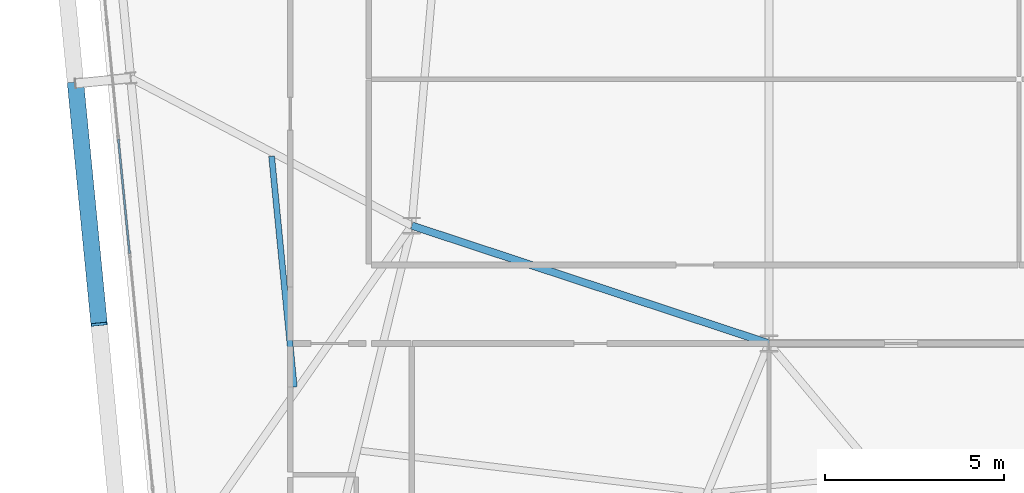
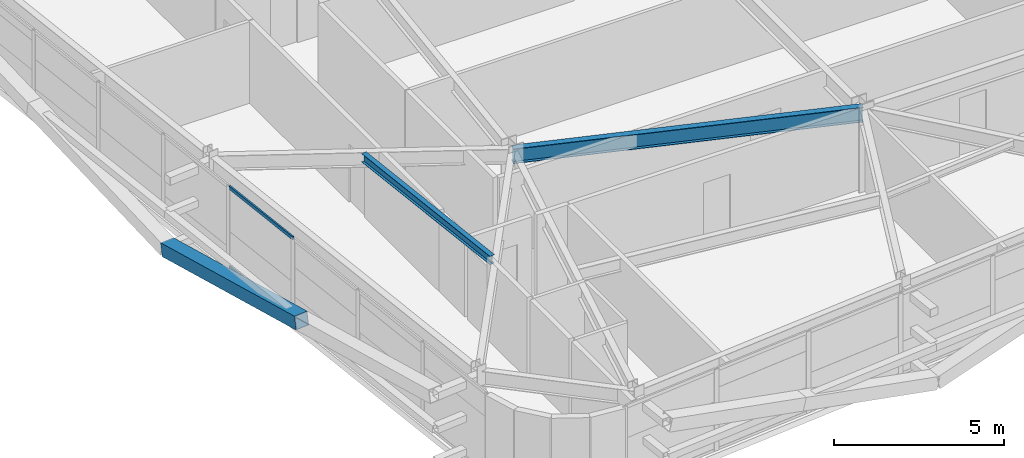
# One storey, part 9 of 52: 3 members, 2 beams, 1 element without a shape of its own.
"""IFC4 building model written with IfcOpenShell, lengths in metres."""

from ifc_helpers import new_model, si_unit, direction, frame, origin, origin_2d, place, context, subcontext, project, spatial, hollow_rectangle, i_section, extrude, source, transform, mapped, material, layer, layer_set, material_profile, profile_set, type_object, element, aggregate, save


model = new_model("IFC4")

# Units and contexts
model_context = context("Model", 3, precision=1e-05, world=origin(), true_north=direction((0.0, 1.0)))
body_context = subcontext(model_context, "Body", "Model", "MODEL_VIEW")
ifc_project = project(units=[si_unit("LENGTHUNIT", "METRE"), si_unit("AREAUNIT", "SQUARE_METRE"), si_unit("VOLUMEUNIT", "CUBIC_METRE"), si_unit("PLANEANGLEUNIT", "RADIAN"), si_unit("MASSUNIT", "GRAM", prefix="KILO")], contexts=[model_context])

# Site, building, storey
site_placement = place(None, origin())
site = spatial("IfcSite", under=ifc_project, at=site_placement, CompositionType="ELEMENT")
building_placement = place(site_placement, origin())
building = spatial("IfcBuilding", under=site, at=building_placement, Name="Taldren Reach Tower", CompositionType="ELEMENT")
storey_placement = place(building_placement, frame((0.0, 0.0, 77.699951171875)))
storey = spatial("IfcBuildingStorey", under=building, at=storey_placement, Name="L23", CompositionType="ELEMENT", Elevation=77.699951171875)

# Beams
ifc_material_1 = material(Name="Steel Gr 350 (350PLUS)", Category="steel")
ifc_material_profile_1 = material_profile(ifc_material_1, i_section(OverallWidth=0.208984375, OverallDepth=0.532958984375, WebThickness=0.01025390625, FlangeThickness=0.015625, at=origin_2d()), Name="530UB92.4")
ifc_profile_set_1 = profile_set([ifc_material_profile_1], Name="Steel Gr 350 (350PLUS)")
beam_type_1 = type_object("IfcBeamType", Name="BM-UB530A", PredefinedType="BEAM", material=ifc_profile_set_1)
shared_shape_1 = source(origin(), body_context, "Body", "SweptSolid", [
    extrude(i_section(OverallWidth=0.208984375, OverallDepth=0.532958984375, WebThickness=0.01025390625, FlangeThickness=0.015625, at=origin_2d()), origin(), (0.0, 0.0, 1.0), 10.530517578125),
])
beam_1_placement = place(storey_placement, frame((18.0, 12.5, 2.66357421875), z_axis=(0.949627269203, -0.313381635689, 0.0), x_axis=(0.313381635689, 0.949627269203, 0.0)))
element("IfcBeam", 1, at=beam_1_placement, inside=storey, type_object=beam_type_1, Name="Core-spine girder L23-SP10", PredefinedType="BEAM", context=body_context, shape_type="MappedRepresentation", body=[
    mapped(shared_shape_1, transform((0.0, 0.0, 0.0), scale=1.0)),
])
ifc_material_2 = material(Name="Steel Gr 300 (300PLUS, 300 MPa)", Category="steel")
ifc_material_profile_2 = material_profile(ifc_material_2, i_section(OverallWidth=0.166015625, OverallDepth=0.306884765625, WebThickness=0.006591796875, FlangeThickness=0.01171875, at=origin_2d()), Name="310UB46.2")
ifc_profile_set_2 = profile_set([ifc_material_profile_2], Name="Steel Gr 300 (300PLUS, 300 MPa)")
beam_type_2 = type_object("IfcBeamType", Name="JS-UB310", PredefinedType="JOIST", material=ifc_profile_set_2)
shared_shape_2 = source(origin(), body_context, "Body", "SweptSolid", [
    extrude(i_section(OverallWidth=0.166015625, OverallDepth=0.306884765625, WebThickness=0.006591796875, FlangeThickness=0.01171875, at=origin_2d()), origin(), (0.0, 0.0, 1.0), 6.489501953125),
])
beam_2_placement = place(storey_placement, frame((14.710693359375, 7.982666015625, 2.776611328125), z_axis=(-0.097588959486, 0.995226805802, 0.0), x_axis=(-0.995226805802, -0.097588959486, 0.0)))
element("IfcBeam", 2, at=beam_2_placement, inside=storey, type_object=beam_type_2, Name="Secondary floor joist B2 J6 L23", PredefinedType="JOIST", context=body_context, shape_type="MappedRepresentation", body=[
    mapped(shared_shape_2, transform((0.0, 0.0, 0.0), scale=1.0)),
])

# Member
ifc_material_3 = material(Name="Steel Gr 450 (C450L0)", Category="steel")
ifc_material_profile_3 = material_profile(ifc_material_3, hollow_rectangle(XDim=0.4599609375, YDim=0.4599609375, WallThickness=0.01611328125, at=origin_2d()), Name="460x460x16.0SHS")
ifc_profile_set_3 = profile_set([ifc_material_profile_3], Name="Steel Gr 450 (C450L0)")
member_type_1 = type_object("IfcMemberType", Name="MB-EXO457", PredefinedType="BRACE", material=ifc_profile_set_3)
shared_shape_3 = source(origin(), body_context, "Body", "SweptSolid", [
    extrude(hollow_rectangle(XDim=0.4599609375, YDim=0.4599609375, WallThickness=0.01611328125, at=origin_2d()), origin(), (0.0, 0.0, 1.0), 6.8828125),
])
member_1_placement = place(storey_placement, frame((8.587890625, 16.479736328125, 0.219970703125), z_axis=(0.096054795712, -0.979595750804, 0.17653793141), x_axis=(0.995226946838, 0.097587521166, 0.0)))
element("IfcMember", 3, at=member_1_placement, inside=storey, type_object=member_type_1, Name="Exoskeleton Diagrid Brace B2-W1 L23", PredefinedType="BRACE", context=body_context, shape_type="MappedRepresentation", body=[
    mapped(shared_shape_3, transform((0.0, 0.0, 0.0), scale=1.0)),
])

# Curtain wall, members
ifc_material_4 = material(Name="Aluminium and Low-E Glass Unitised System", Category="aluminium")
ifc_layer = layer(ifc_material_4, 0.159912109375)
ifc_layer_set = layer_set([ifc_layer], Name="Aluminium and Low-E Glass Unitised System")
curtain_wall_type = type_object("IfcCurtainWallType", Name="CW-SYS-3", PredefinedType="NOTDEFINED", material=ifc_layer_set)
curtain_wall_placement = place(storey_placement, origin())
curtain_wall = element("IfcCurtainWall", 4, at=curtain_wall_placement, inside=storey, type_object=curtain_wall_type, Name="Unitised curtain wall CW-L23-W", PredefinedType="NOTDEFINED")
ifc_material_5 = material(Name="Anodised Aluminium 6063-T6", Category="aluminium")
ifc_material_profile_4 = material_profile(ifc_material_5, hollow_rectangle(XDim=0.054931640625, YDim=0.1201171875, WallThickness=0.0029296875, at=origin_2d()), Name="ALU-120x55x3RHS")
ifc_profile_set_4 = profile_set([ifc_material_profile_4], Name="Anodised Aluminium 6063-T6")
member_type_2 = type_object("IfcMemberType", Name="CW-TRN-135", PredefinedType="USERDEFINED", material=ifc_profile_set_4)
shared_shape_4 = source(origin(), body_context, "Body", "SweptSolid", [
    extrude(hollow_rectangle(XDim=0.054931640625, YDim=0.1201171875, WallThickness=0.0029296875, at=origin_2d()), origin(), (0.0, 0.0, 1.0), 3.212890625),
])
member_2_placement = place(storey_placement, frame((9.7861328125, 14.91796875, 0.027587890625), z_axis=(0.097569948235, -0.995228669805, 0.0), x_axis=(0.995228669805, 0.097569948235, 0.0)))
member_2 = element("IfcMember", 5, at=member_2_placement, type_object=member_type_2, Name="CW-3 transom 6.1", ObjectType="TRANSOM", PredefinedType="USERDEFINED", context=body_context, shape_type="MappedRepresentation", body=[
    mapped(shared_shape_4, transform((0.0, 0.0, 0.0), scale=1.0)),
])
member_3_placement = place(storey_placement, frame((9.7861328125, 14.91796875, 2.902587890625), z_axis=(0.097569948235, -0.995228669805, 0.0), x_axis=(0.995228669805, 0.097569948235, 0.0)))
member_3 = element("IfcMember", 6, at=member_3_placement, type_object=member_type_2, Name="CW-3 transom 6.2", ObjectType="TRANSOM", PredefinedType="USERDEFINED", context=body_context, shape_type="MappedRepresentation", body=[
    mapped(shared_shape_4, transform((0.0, 0.0, 0.0), scale=1.0)),
])
aggregate(curtain_wall, [member_2, member_3])

save(model, "model.ifc")
